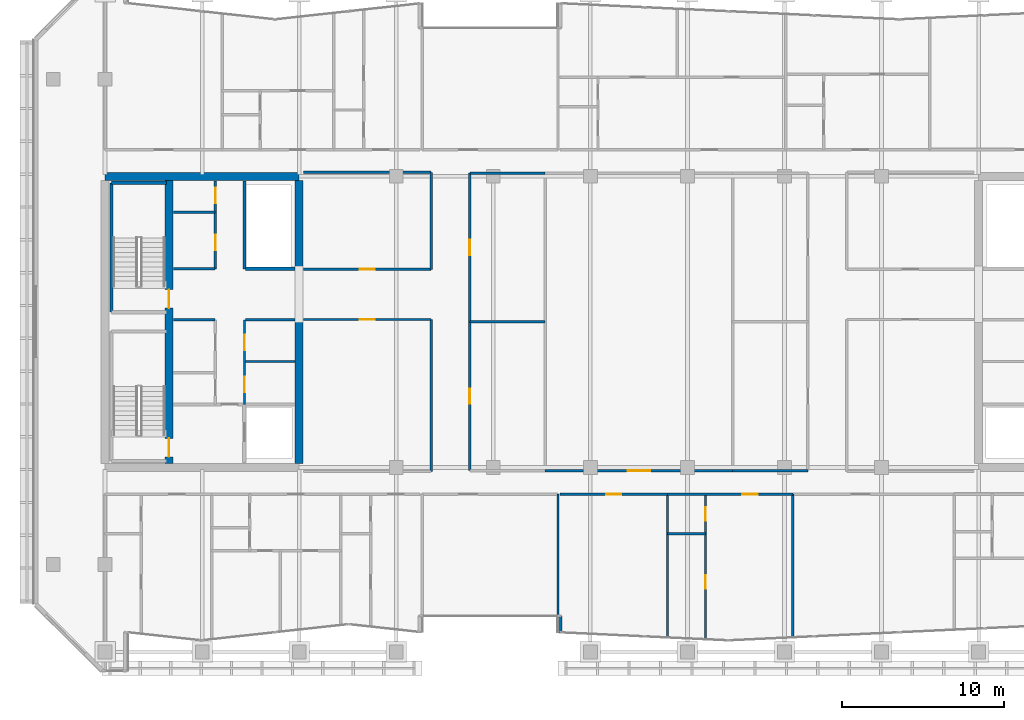
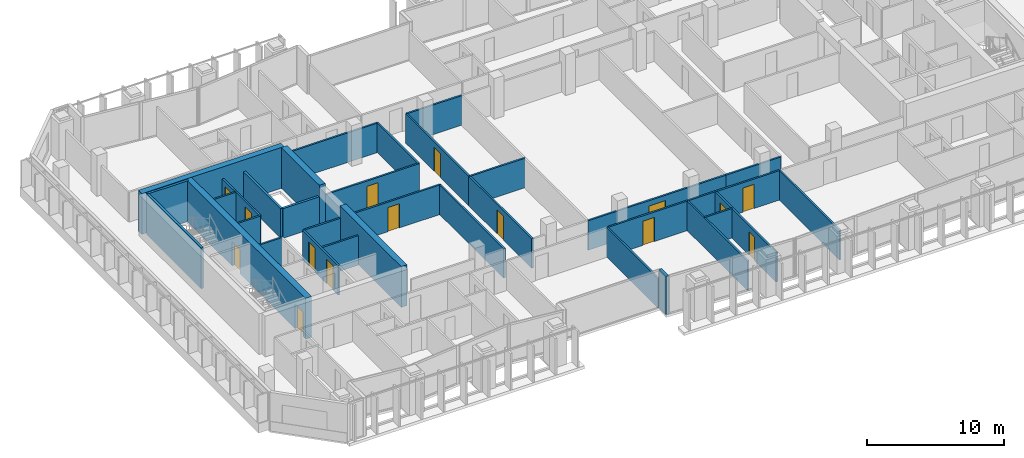
# One storey, part 20 of 29: 34 walls, 15 doors, 15 openings.
"""IFC4 building model written with IfcOpenShell, lengths in metres."""

import ifcopenshell
import ifcopenshell.guid

model = None  # the IFC model being written
_history = None  # IfcOwnerHistory: only IFC2X3 demands one
_inside = {}  # id of a spatial element -> (the spatial element, [elements in it])
_under = {}  # id of a project, library or spatial element -> (it, [spatial elements below it])
_declared = {}  # id of a project -> (the project, [libraries it declares])
_typed = {}  # id of a type object -> (the type object, [elements of that type])
_made_of = {}  # id of a material, layer set ... -> (it, [elements and type objects made of it])


def new_model(schema):
    """Start an empty IFC model of exactly this schema.

    Asked for "IFC4X3", IfcOpenShell would pick the latest addendum, in which some entities
    have other attributes; the version numbers below select the first issue.
    IFC2X3 requires an IfcOwnerHistory on every rooted entity: one is made here for all.
    """
    global model, _history
    if schema == "IFC4X3":
        model = ifcopenshell.file(schema_version=(4, 3, 0, 0))
    else:
        model = ifcopenshell.file(schema=schema)
    _inside.clear()
    _under.clear()
    _declared.clear()
    _typed.clear()
    _made_of.clear()
    _history = None
    if model.schema == "IFC2X3":
        org = make("IfcOrganization", Name="unknown")
        user = make(
            "IfcPersonAndOrganization",
            ThePerson=make("IfcPerson", FamilyName="unknown"),
            TheOrganization=org,
        )
        app = make(
            "IfcApplication",
            ApplicationDeveloper=org,
            Version="unknown",
            ApplicationFullName="unknown",
            ApplicationIdentifier="unknown",
        )
        _history = make(
            "IfcOwnerHistory",
            OwningUser=user,
            OwningApplication=app,
            ChangeAction="ADDED",
            CreationDate=0,
        )
    return model


def make(cls, **values):
    """One entity of the class cls with the attributes given. An attribute that is None is left unset."""
    return model.create_entity(
        cls, **{name: value for name, value in values.items() if value is not None}
    )


def rooted(cls, **values):
    """An entity with a GlobalId (a new one), such as an element, a storey or a relation."""
    return make(cls, GlobalId=ifcopenshell.guid.new(), OwnerHistory=_history, **values)


def si_unit(unit_type, name, prefix=None):
    """IfcSIUnit, for example si_unit("LENGTHUNIT", "METRE", prefix="MILLI")."""
    return make("IfcSIUnit", UnitType=unit_type, Prefix=prefix, Name=name)


def assignment(units):
    """IfcUnitAssignment: the units of a project."""
    return None if units is None else make("IfcUnitAssignment", Units=units)


def point(xyz):
    """IfcCartesianPoint."""
    return None if xyz is None else make("IfcCartesianPoint", Coordinates=xyz)


def direction(xyz):
    """IfcDirection."""
    return None if xyz is None else make("IfcDirection", DirectionRatios=xyz)


def frame(location, z_axis=None, x_axis=None):
    """IfcAxis2Placement3D, a coordinate frame: its origin and axes. An axis left out is left unset."""
    return make(
        "IfcAxis2Placement3D",
        Location=point(location),
        Axis=direction(z_axis),
        RefDirection=direction(x_axis),
    )


def frame_2d(location, x_axis=None):
    """IfcAxis2Placement2D, a coordinate frame in the plane: its origin and x axis."""
    return make(
        "IfcAxis2Placement2D", Location=point(location), RefDirection=direction(x_axis)
    )


def origin():
    """The frame at (0, 0, 0) with its axes left unset."""
    return frame((0.0, 0.0, 0.0))


def place(relative_to, where):
    """IfcLocalPlacement: puts the frame where relative to a parent placement (None: the world)."""
    return make(
        "IfcLocalPlacement", PlacementRelTo=relative_to, RelativePlacement=where
    )


def context(
    kind, dimensions, precision=None, world=None, true_north=None, identifier=None
):
    """IfcGeometricRepresentationContext, for example the 3D "Model" context."""
    return make(
        "IfcGeometricRepresentationContext",
        ContextIdentifier=identifier,
        ContextType=kind,
        CoordinateSpaceDimension=dimensions,
        Precision=precision,
        WorldCoordinateSystem=world,
        TrueNorth=true_north,
    )


def subcontext(parent, identifier, kind, view, scale=None):
    """IfcGeometricRepresentationSubContext, for example "Body" below "Model"."""
    return make(
        "IfcGeometricRepresentationSubContext",
        ContextIdentifier=identifier,
        ContextType=kind,
        ParentContext=parent,
        TargetScale=scale,
        TargetView=view,
    )


def project(units=None, contexts=None):
    """IfcProject with its units and contexts."""
    return rooted(
        "IfcProject",
        Name="project",
        RepresentationContexts=contexts,
        UnitsInContext=assignment(units),
    )


def spatial(cls, under=None, at=None, **own):
    """A site, building, storey or space (cls), placed at a placement, below another one or the project."""
    s = rooted(cls, ObjectPlacement=at, **own)
    if under is not None:
        _under.setdefault(under.id(), (under, []))[1].append(s)
    return s


def profile(cls, at=None, kind="AREA", **sizes):
    """A parametric profile (cls). Its sizes go by their IFC names, for example OverallWidth=200.0."""
    return make(cls, ProfileType=kind, Position=at, **sizes)


def rectangle(**sizes):
    """IfcRectangleProfileDef."""
    return profile("IfcRectangleProfileDef", **sizes)


def extrude(swept, where, along, depth):
    """IfcExtrudedAreaSolid: the profile swept, set in the frame where, extruded along a direction by depth."""
    return make(
        "IfcExtrudedAreaSolid",
        SweptArea=swept,
        Position=where,
        ExtrudedDirection=direction(along),
        Depth=depth,
    )


def shape(context_of_items, identifier, shape_type, items):
    """IfcShapeRepresentation: the items that make up one representation, for example the "Body"."""
    return make(
        "IfcShapeRepresentation",
        ContextOfItems=context_of_items,
        RepresentationIdentifier=identifier,
        RepresentationType=shape_type,
        Items=items,
    )


def material(Name=None, Category=None):
    """IfcMaterial."""
    return make("IfcMaterial", Name=Name, Category=Category)


def layer(
    of_material, thickness, ventilated=None, Name=None, Category=None, Priority=None
):
    """IfcMaterialLayer: one layer of a wall or slab, of a material (None: an air gap)."""
    return make(
        "IfcMaterialLayer",
        Material=of_material,
        LayerThickness=thickness,
        IsVentilated=ventilated,
        Name=Name,
        Category=Category,
        Priority=Priority,
    )


def layer_set(layers, Name=None):
    """IfcMaterialLayerSet."""
    return make("IfcMaterialLayerSet", MaterialLayers=layers, LayerSetName=Name)


def made_of(thing, what):
    """Note that an element or type object is made of a material, layer set ...; save() writes the relation."""
    if what is not None:
        _made_of.setdefault(what.id(), (what, []))[1].append(thing)
    return thing


def type_object(cls, material=None, **own):
    """A type object (cls), such as IfcWallType, which elements share."""
    return made_of(rooted(cls, **own), material)


def element(
    cls,
    number,
    at=None,
    inside=None,
    cuts=None,
    type_object=None,
    material=None,
    context=None,
    identifier="Body",
    shape_type=None,
    held_by="IfcProductDefinitionShape",
    body=None,
    shapes=None,
    **own,
):
    """One element of the class cls, such as IfcWall. Its Tag is "e" and its number.

    at: its placement. inside: the storey or other place that contains it. cuts: it is an
    opening in that element (IfcRelVoidsElement). A single representation is given by context,
    identifier, shape_type and body (its items); several are given by shapes. held_by: the class
    of the entity that holds the representations. save() writes the other relations.
    """
    e = rooted(cls, Tag="e%d" % number, ObjectPlacement=at, **own)
    if body is not None:
        shapes = [shape(context, identifier, shape_type, body)]
    if shapes is not None:
        e.Representation = make(held_by, Representations=shapes)
    if inside is not None:
        _inside.setdefault(inside.id(), (inside, []))[1].append(e)
    if cuts is not None:
        rooted(
            "IfcRelVoidsElement", RelatingBuildingElement=cuts, RelatedOpeningElement=e
        )
    if type_object is not None:
        _typed.setdefault(type_object.id(), (type_object, []))[1].append(e)
    return made_of(e, material)


def fill(opening, filler):
    """IfcRelFillsElement: the door or window that sits in an opening."""
    return rooted(
        "IfcRelFillsElement",
        RelatingOpeningElement=opening,
        RelatedBuildingElement=filler,
    )


def aggregate(whole, parts):
    """IfcRelAggregates: a whole, such as a stair, and the parts it consists of."""
    return rooted("IfcRelAggregates", RelatingObject=whole, RelatedObjects=parts)


def save(model, path):
    """Write the relations noted so far, then the file.

    IfcRelAggregates (storeys below a building ...), IfcRelContainedInSpatialStructure (elements
    in a storey), IfcRelDefinesByType, IfcRelAssociatesMaterial and IfcRelDeclares: one each for
    every whole, place, type object, material and project.
    """
    for whole, parts in _under.values():
        aggregate(whole, parts)
    for where, things in _inside.values():
        rooted(
            "IfcRelContainedInSpatialStructure",
            RelatedElements=things,
            RelatingStructure=where,
        )
    for kind, things in _typed.values():
        rooted("IfcRelDefinesByType", RelatedObjects=things, RelatingType=kind)
    for what, things in _made_of.values():
        rooted("IfcRelAssociatesMaterial", RelatedObjects=things, RelatingMaterial=what)
    for by, libraries in _declared.values():
        rooted("IfcRelDeclares", RelatingContext=by, RelatedDefinitions=libraries)
    model.write(path)


model = new_model("IFC4")

# Units and contexts
model_context = context("Model", 3, precision=1e-05, world=origin(), true_north=direction((0.0, 1.0)))
body_context = subcontext(model_context, "Body", "Model", "MODEL_VIEW")
ifc_project = project(units=[si_unit("LENGTHUNIT", "METRE"), si_unit("AREAUNIT", "SQUARE_METRE"), si_unit("VOLUMEUNIT", "CUBIC_METRE"), si_unit("PLANEANGLEUNIT", "RADIAN"), si_unit("MASSUNIT", "GRAM", prefix="KILO")], contexts=[model_context])

# Site, building, storey
site_placement = place(None, origin())
site = spatial("IfcSite", under=ifc_project, at=site_placement, CompositionType="ELEMENT")
building_placement = place(site_placement, origin())
building = spatial("IfcBuilding", under=site, at=building_placement, Name="Tanjung Sevakor Pilgrim Tower", CompositionType="ELEMENT")
storey_placement = place(building_placement, frame((0.0, 0.0, 162.030029296875)))
storey = spatial("IfcBuildingStorey", under=building, at=storey_placement, Name="L45", CompositionType="ELEMENT", Elevation=162.030029296875)

# Walls
ifc_material_1 = material(Name="Concrete C60/75", Category="concrete")
ifc_layer_1 = layer(ifc_material_1, 0.5)
ifc_layer_set_1 = layer_set([ifc_layer_1], Name="WALL-CW-500")
wall_type_1 = type_object("IfcWallType", Name="WALL-CW-500", PredefinedType="SHEAR", material=ifc_layer_set_1)
wall_1_placement = place(storey_placement, frame((36.0, 42.60009765625, 0.0), z_axis=(0.0, 0.0, 1.0), x_axis=(-1.0, 0.0, 0.0)))
element("IfcWall", 1, at=wall_1_placement, inside=storey, type_object=wall_type_1, Name="L45 W Core North Shear Wall", PredefinedType="SHEAR", context=body_context, shape_type="SweptSolid", body=[
    extrude(rectangle(XDim=12.0, YDim=0.5, at=frame_2d((6.0, 0.0))), origin(), (0.0, 0.0, 1.0), 3.6298828125),
])
wall_2_placement = place(storey_placement, frame((36.0, 24.85009765625, 0.0), z_axis=(0.0, 0.0, 1.0), x_axis=(0.0, 1.0, 0.0)))
element("IfcWall", 2, at=wall_2_placement, inside=storey, type_object=wall_type_1, Name="L45 W Core Inner Shear Wall South", PredefinedType="SHEAR", context=body_context, shape_type="SweptSolid", body=[
    extrude(rectangle(XDim=8.949951171875, YDim=0.5, at=frame_2d((4.47509765625, 0.0))), origin(), (0.0, 0.0, 1.0), 3.6298828125),
])
wall_3_placement = place(storey_placement, frame((36.0, 36.800048828125, 0.0), z_axis=(0.0, 0.0, 1.0), x_axis=(0.0, 1.0, 0.0)))
element("IfcWall", 3, at=wall_3_placement, inside=storey, type_object=wall_type_1, Name="L45 W Core Inner Shear Wall North", PredefinedType="SHEAR", context=body_context, shape_type="SweptSolid", body=[
    extrude(rectangle(XDim=5.550048828125, YDim=0.5, at=frame_2d((2.77490234375, 0.0))), origin(), (0.0, 0.0, 1.0), 3.6298828125),
])

# Wall, openings, doors
wall_4_placement = place(storey_placement, frame((27.949951171875, 24.85009765625, 0.0), z_axis=(0.0, 0.0, 1.0), x_axis=(0.0, 1.0, 0.0)))
wall_4 = element("IfcWall", 4, at=wall_4_placement, inside=storey, type_object=wall_type_1, Name="L45 W Core Stair Spine Wall", PredefinedType="SHEAR", context=body_context, shape_type="SweptSolid", body=[
    extrude(rectangle(XDim=17.5, YDim=0.5, at=frame_2d((8.75, 0.0))), origin(), (0.0, 0.0, 1.0), 3.6298828125),
])
opening_1_placement = place(wall_4_placement, frame((0.39990234375, 0.0, 0.0)))
opening_1 = element("IfcOpeningElement", 5, at=opening_1_placement, cuts=wall_4, Name="Opening ID-ST1", PredefinedType="OPENING", context=body_context, shape_type="SweptSolid", body=[
    extrude(rectangle(XDim=1.14990234375, YDim=2.14990234375, at=frame_2d((0.574951171875, 1.074951171875))), frame((0.0, 0.260009765625, 0.0), z_axis=(0.0, -1.0, 0.0), x_axis=(1.0, 0.0, 0.0)), (0.0, 0.0, 1.0), 0.52001953125),
])
opening_2_placement = place(wall_4_placement, frame((9.60009765625, 0.0, 0.0)))
opening_2 = element("IfcOpeningElement", 6, at=opening_2_placement, cuts=wall_4, Name="Opening ID-ST1", PredefinedType="OPENING", context=body_context, shape_type="SweptSolid", body=[
    extrude(rectangle(XDim=1.14990234375, YDim=2.14990234375, at=frame_2d((0.574951171875, 1.074951171875))), frame((0.0, 0.260009765625, 0.0), z_axis=(0.0, -1.0, 0.0), x_axis=(1.0, 0.0, 0.0)), (0.0, 0.0, 1.0), 0.52001953125),
])
ifc_material_2 = material(Name="Fire-Rated Steel S355J2", Category="steel")
door_type_1 = type_object("IfcDoorType", Name="DT-FIRE-1150", OperationType="NOTDEFINED", PredefinedType="DOOR", material=ifc_material_2)
door_1_placement = place(opening_1_placement, origin())
door_1 = element("IfcDoor", 7, at=door_1_placement, inside=storey, type_object=door_type_1, Name="L45 TS-W1 Stair Fire Door", OperationType="SINGLE_SWING_RIGHT", OverallHeight=2.14990234375, OverallWidth=1.14990234375, PredefinedType="DOOR", context=body_context, shape_type="SweptSolid", body=[
    extrude(rectangle(XDim=1.14990234375, YDim=2.14990234375, at=frame_2d((0.574951171875, 1.074951171875))), frame((0.0, 0.02490234375, 0.0), z_axis=(0.0, -1.0, 0.0), x_axis=(1.0, 0.0, 0.0)), (0.0, 0.0, 1.0), 0.050048828125),
])
fill(opening_1, door_1)
door_2_placement = place(opening_2_placement, origin())
door_2 = element("IfcDoor", 8, at=door_2_placement, inside=storey, type_object=door_type_1, Name="L45 TS-W2 Stair Fire Door", OperationType="SINGLE_SWING_LEFT", OverallHeight=2.14990234375, OverallWidth=1.14990234375, PredefinedType="DOOR", context=body_context, shape_type="SweptSolid", body=[
    extrude(rectangle(XDim=1.14990234375, YDim=2.14990234375, at=frame_2d((0.574951171875, 1.074951171875))), frame((0.0, 0.02490234375, 0.0), z_axis=(0.0, -1.0, 0.0), x_axis=(1.0, 0.0, 0.0)), (0.0, 0.0, 1.0), 0.050048828125),
])
fill(opening_2, door_2)

# Walls
ifc_material_3 = material(Name="Concrete C40/50", Category="concrete")
ifc_layer_2 = layer(ifc_material_3, 0.14990234375)
ifc_layer_set_2 = layer_set([ifc_layer_2], Name="WT-COMP-150")
wall_type_2 = type_object("IfcWallType", Name="WT-COMP-150", PredefinedType="SOLIDWALL", material=ifc_layer_set_2)
wall_5_placement = place(storey_placement, frame((28.219970703125, 33.719970703125, 0.0), z_axis=(0.0, 0.0, 1.0), x_axis=(1.0, 0.0, 0.0)))
element("IfcWall", 9, at=wall_5_placement, inside=storey, type_object=wall_type_2, Name="L45 Partition IW-L45-004", PredefinedType="SOLIDWALL", context=body_context, shape_type="SweptSolid", body=[
    extrude(rectangle(XDim=2.580078125, YDim=0.14990234375, at=frame_2d((1.2900390625, 0.0))), origin(), (0.0, 0.0, 1.0), 2.6298828125),
])
for number, where, z_axis, x_axis, name in (
    (10, (32.679931640625, 31.14990234375, 0.0), (0.0, 0.0, 1.0), (1.0, 0.0, 0.0), "L45 Partition IW-L45-006"),
    (11, (32.679931640625, 33.719970703125, 0.0), (0.0, 0.0, 1.0), (1.0, 0.0, 0.0), "L45 Partition IW-L45-007"),
):
    element("IfcWall", number, at=place(storey_placement, frame(where, z_axis=z_axis, x_axis=x_axis)), inside=storey, type_object=wall_type_2, Name=name, PredefinedType="SOLIDWALL", context=body_context, shape_type="SweptSolid", body=[
        extrude(rectangle(XDim=3.050048828125, YDim=0.14990234375, at=frame_2d((1.52490234375, 0.0))), origin(), (0.0, 0.0, 1.0), 2.6298828125),
    ])

# Wall, openings, doors
wall_6_placement = place(storey_placement, frame((32.6201171875, 28.5, 0.0), z_axis=(0.0, 0.0, 1.0), x_axis=(0.0, 1.0, 0.0)))
wall_6 = element("IfcWall", 12, at=wall_6_placement, inside=storey, type_object=wall_type_2, Name="L45 Partition IW-L45-008", PredefinedType="SOLIDWALL", context=body_context, shape_type="SweptSolid", body=[
    extrude(rectangle(XDim=5.219970703125, YDim=0.14990234375, at=frame_2d((2.60986328125, 0.0))), origin(), (0.0, 0.0, 1.0), 2.6298828125),
])
opening_3_placement = place(wall_6_placement, frame((0.75, 0.0, 0.0)))
opening_3 = element("IfcOpeningElement", 13, at=opening_3_placement, cuts=wall_6, Name="Opening ID-FD2", PredefinedType="OPENING", context=body_context, shape_type="SweptSolid", body=[
    extrude(rectangle(XDim=0.949951171875, YDim=2.14990234375, at=frame_2d((0.47509765625, 1.074951171875))), frame((0.0, 0.0849609375, 0.0), z_axis=(0.0, -1.0, 0.0), x_axis=(1.0, 0.0, 0.0)), (0.0, 0.0, 1.0), 0.169921875),
])
opening_4_placement = place(wall_6_placement, frame((3.35009765625, 0.0, 0.0)))
opening_4 = element("IfcOpeningElement", 14, at=opening_4_placement, cuts=wall_6, Name="Opening ID-FD2", PredefinedType="OPENING", context=body_context, shape_type="SweptSolid", body=[
    extrude(rectangle(XDim=0.949951171875, YDim=2.14990234375, at=frame_2d((0.47509765625, 1.074951171875))), frame((0.0, 0.0849609375, 0.0), z_axis=(0.0, -1.0, 0.0), x_axis=(1.0, 0.0, 0.0)), (0.0, 0.0, 1.0), 0.169921875),
])
ifc_material_4 = material(Name="Fire-Rated Timber", Category="wood")
door_type_2 = type_object("IfcDoorType", Name="DT-FIRE-950", OperationType="NOTDEFINED", PredefinedType="DOOR", material=ifc_material_4)
door_3_placement = place(opening_3_placement, origin())
door_3 = element("IfcDoor", 15, at=door_3_placement, inside=storey, type_object=door_type_2, Name="L45 Accessible WC Door", OperationType="SINGLE_SWING_LEFT", OverallHeight=2.14990234375, OverallWidth=0.949951171875, PredefinedType="DOOR", context=body_context, shape_type="SweptSolid", body=[
    extrude(rectangle(XDim=0.949951171875, YDim=2.14990234375, at=frame_2d((0.47509765625, 1.074951171875))), frame((0.0, 0.02490234375, 0.0), z_axis=(0.0, -1.0, 0.0), x_axis=(1.0, 0.0, 0.0)), (0.0, 0.0, 1.0), 0.050048828125),
])
fill(opening_3, door_3)
door_4_placement = place(opening_4_placement, origin())
door_4 = element("IfcDoor", 16, at=door_4_placement, inside=storey, type_object=door_type_2, Name="L45 Core Service Door", OperationType="SINGLE_SWING_RIGHT", OverallHeight=2.14990234375, OverallWidth=0.949951171875, PredefinedType="DOOR", context=body_context, shape_type="SweptSolid", body=[
    extrude(rectangle(XDim=0.949951171875, YDim=2.14990234375, at=frame_2d((0.47509765625, 1.074951171875))), frame((0.0, 0.02490234375, 0.0), z_axis=(0.0, -1.0, 0.0), x_axis=(1.0, 0.0, 0.0)), (0.0, 0.0, 1.0), 0.050048828125),
])
fill(opening_4, door_4)

# Walls
for number, where, z_axis, x_axis, name in (
    (17, (28.219970703125, 36.8798828125, 0.0), (0.0, 0.0, 1.0), (1.0, 0.0, 0.0), "L45 Partition IW-L45-009"),
    (18, (28.219970703125, 40.389892578125, 0.0), (0.0, 0.0, 1.0), (1.0, 0.0, 0.0), "L45 Partition IW-L45-010"),
):
    element("IfcWall", number, at=place(storey_placement, frame(where, z_axis=z_axis, x_axis=x_axis)), inside=storey, type_object=wall_type_2, Name=name, PredefinedType="SOLIDWALL", context=body_context, shape_type="SweptSolid", body=[
        extrude(rectangle(XDim=2.580078125, YDim=0.14990234375, at=frame_2d((1.2900390625, 0.0))), origin(), (0.0, 0.0, 1.0), 2.6298828125),
    ])

# Wall, openings, doors
wall_7_placement = place(storey_placement, frame((30.820068359375, 36.8798828125, 0.0), z_axis=(0.0, 0.0, 1.0), x_axis=(0.0, 1.0, 0.0)))
wall_7 = element("IfcWall", 19, at=wall_7_placement, inside=storey, type_object=wall_type_2, Name="L45 Partition IW-L45-011", PredefinedType="SOLIDWALL", context=body_context, shape_type="SweptSolid", body=[
    extrude(rectangle(XDim=5.420166015625, YDim=0.14990234375, at=frame_2d((2.7099609375, 0.0))), origin(), (0.0, 0.0, 1.0), 2.6298828125),
])
opening_5_placement = place(wall_7_placement, frame((1.14990234375, 0.0, 0.0)))
opening_5 = element("IfcOpeningElement", 20, at=opening_5_placement, cuts=wall_7, Name="Opening ID-FD2", PredefinedType="OPENING", context=body_context, shape_type="SweptSolid", body=[
    extrude(rectangle(XDim=0.949951171875, YDim=2.14990234375, at=frame_2d((0.47509765625, 1.074951171875))), frame((0.0, 0.0849609375, 0.0), z_axis=(0.0, -1.0, 0.0), x_axis=(1.0, 0.0, 0.0)), (0.0, 0.0, 1.0), 0.169921875),
])
opening_6_placement = place(wall_7_placement, frame((4.050048828125, 0.0, 0.0)))
opening_6 = element("IfcOpeningElement", 21, at=opening_6_placement, cuts=wall_7, Name="Opening ID-FD2", PredefinedType="OPENING", context=body_context, shape_type="SweptSolid", body=[
    extrude(rectangle(XDim=0.949951171875, YDim=2.14990234375, at=frame_2d((0.47509765625, 1.074951171875))), frame((0.0, 0.0849609375, 0.0), z_axis=(0.0, -1.0, 0.0), x_axis=(1.0, 0.0, 0.0)), (0.0, 0.0, 1.0), 0.169921875),
])
door_5_placement = place(opening_5_placement, origin())
door_5 = element("IfcDoor", 22, at=door_5_placement, inside=storey, type_object=door_type_2, Name="L45 Core Study Room Door", OperationType="SINGLE_SWING_LEFT", OverallHeight=2.14990234375, OverallWidth=0.949951171875, PredefinedType="DOOR", context=body_context, shape_type="SweptSolid", body=[
    extrude(rectangle(XDim=0.949951171875, YDim=2.14990234375, at=frame_2d((0.47509765625, 1.074951171875))), frame((0.0, 0.02490234375, 0.0), z_axis=(0.0, -1.0, 0.0), x_axis=(1.0, 0.0, 0.0)), (0.0, 0.0, 1.0), 0.050048828125),
])
fill(opening_5, door_5)
door_6_placement = place(opening_6_placement, origin())
door_6 = element("IfcDoor", 23, at=door_6_placement, inside=storey, type_object=door_type_2, Name="L45 Service Store Door", OperationType="SINGLE_SWING_RIGHT", OverallHeight=2.14990234375, OverallWidth=0.949951171875, PredefinedType="DOOR", context=body_context, shape_type="SweptSolid", body=[
    extrude(rectangle(XDim=0.949951171875, YDim=2.14990234375, at=frame_2d((0.47509765625, 1.074951171875))), frame((0.0, 0.02490234375, 0.0), z_axis=(0.0, -1.0, 0.0), x_axis=(1.0, 0.0, 0.0)), (0.0, 0.0, 1.0), 0.050048828125),
])
fill(opening_6, door_6)

# Wall, opening, door
wall_8_placement = place(storey_placement, frame((36.27001953125, 33.75, 0.0), z_axis=(0.0, 0.0, 1.0), x_axis=(1.0, 0.0, 0.0)))
wall_8 = element("IfcWall", 24, at=wall_8_placement, inside=storey, type_object=wall_type_2, Name="L45 Partition IW-L45-028", PredefinedType="SOLIDWALL", context=body_context, shape_type="SweptSolid", body=[
    extrude(rectangle(XDim=7.8798828125, YDim=0.14990234375, at=frame_2d((3.93994140625, 0.0))), origin(), (0.0, 0.0, 1.0), 2.6298828125),
])
opening_7_placement = place(wall_8_placement, frame((3.465087890625, 0.0, 0.0)))
opening_7 = element("IfcOpeningElement", 25, at=opening_7_placement, cuts=wall_8, Name="Opening ID-RM1", PredefinedType="OPENING", context=body_context, shape_type="SweptSolid", body=[
    extrude(rectangle(XDim=0.949951171875, YDim=2.14990234375, at=frame_2d((0.47509765625, 1.074951171875))), frame((0.0, 0.0849609375, 0.0), z_axis=(0.0, -1.0, 0.0), x_axis=(1.0, 0.0, 0.0)), (0.0, 0.0, 1.0), 0.169921875),
])
ifc_material_5 = material(Name="Hardwood Timber", Category="wood")
door_type_3 = type_object("IfcDoorType", Name="DT-INT-950", OperationType="NOTDEFINED", PredefinedType="DOOR", material=ifc_material_5)
door_7_placement = place(opening_7_placement, origin())
door_7 = element("IfcDoor", 26, at=door_7_placement, inside=storey, type_object=door_type_3, Name="L45 West Inboard South Door", OperationType="SINGLE_SWING_LEFT", OverallHeight=2.14990234375, OverallWidth=0.949951171875, PredefinedType="DOOR", context=body_context, shape_type="SweptSolid", body=[
    extrude(rectangle(XDim=0.949951171875, YDim=2.14990234375, at=frame_2d((0.47509765625, 1.074951171875))), frame((0.0, 0.02490234375, 0.0), z_axis=(0.0, -1.0, 0.0), x_axis=(1.0, 0.0, 0.0)), (0.0, 0.0, 1.0), 0.050048828125),
])
fill(opening_7, door_7)

# Wall
wall_9_placement = place(storey_placement, frame((44.14990234375, 24.35009765625, 0.0), z_axis=(0.0, 0.0, 1.0), x_axis=(0.0, 1.0, 0.0)))
element("IfcWall", 27, at=wall_9_placement, inside=storey, type_object=wall_type_2, Name="L45 Partition IW-L45-029", PredefinedType="SOLIDWALL", context=body_context, shape_type="SweptSolid", body=[
    extrude(rectangle(XDim=9.39990234375, YDim=0.14990234375, at=frame_2d((4.699951171875, 0.0))), origin(), (0.0, 0.0, 1.0), 2.6298828125),
])

# Wall, opening, door
wall_10_placement = place(storey_placement, frame((36.27001953125, 36.85009765625, 0.0), z_axis=(0.0, 0.0, 1.0), x_axis=(1.0, 0.0, 0.0)))
wall_10 = element("IfcWall", 28, at=wall_10_placement, inside=storey, type_object=wall_type_2, Name="L45 Partition IW-L45-030", PredefinedType="SOLIDWALL", context=body_context, shape_type="SweptSolid", body=[
    extrude(rectangle(XDim=7.8798828125, YDim=0.14990234375, at=frame_2d((3.93994140625, 0.0))), origin(), (0.0, 0.0, 1.0), 2.6298828125),
])
opening_8_placement = place(wall_10_placement, frame((3.465087890625, 0.0, 0.0)))
opening_8 = element("IfcOpeningElement", 29, at=opening_8_placement, cuts=wall_10, Name="Opening ID-RM1", PredefinedType="OPENING", context=body_context, shape_type="SweptSolid", body=[
    extrude(rectangle(XDim=0.949951171875, YDim=2.14990234375, at=frame_2d((0.47509765625, 1.074951171875))), frame((0.0, 0.0849609375, 0.0), z_axis=(0.0, -1.0, 0.0), x_axis=(1.0, 0.0, 0.0)), (0.0, 0.0, 1.0), 0.169921875),
])
door_8_placement = place(opening_8_placement, origin())
door_8 = element("IfcDoor", 30, at=door_8_placement, inside=storey, type_object=door_type_3, Name="L45 West Inboard North Door", OperationType="SINGLE_SWING_RIGHT", OverallHeight=2.14990234375, OverallWidth=0.949951171875, PredefinedType="DOOR", context=body_context, shape_type="SweptSolid", body=[
    extrude(rectangle(XDim=0.949951171875, YDim=2.14990234375, at=frame_2d((0.47509765625, 1.074951171875))), frame((0.0, 0.02490234375, 0.0), z_axis=(0.0, -1.0, 0.0), x_axis=(1.0, 0.0, 0.0)), (0.0, 0.0, 1.0), 0.050048828125),
])
fill(opening_8, door_8)

# Walls
wall_11_placement = place(storey_placement, frame((36.27001953125, 42.85009765625, 0.0), z_axis=(0.0, 0.0, 1.0), x_axis=(1.0, 0.0, 0.0)))
element("IfcWall", 31, at=wall_11_placement, inside=storey, type_object=wall_type_2, Name="L45 Partition IW-L45-031", PredefinedType="SOLIDWALL", context=body_context, shape_type="SweptSolid", body=[
    extrude(rectangle(XDim=7.8798828125, YDim=0.14990234375, at=frame_2d((3.93994140625, 0.0))), origin(), (0.0, 0.0, 1.0), 2.6298828125),
])
wall_12_placement = place(storey_placement, frame((44.14990234375, 36.85009765625, 0.0), z_axis=(0.0, 0.0, 1.0), x_axis=(0.0, 1.0, 0.0)))
element("IfcWall", 32, at=wall_12_placement, inside=storey, type_object=wall_type_2, Name="L45 Partition IW-L45-032", PredefinedType="SOLIDWALL", context=body_context, shape_type="SweptSolid", body=[
    extrude(rectangle(XDim=6.0, YDim=0.14990234375, at=frame_2d((3.0, 0.0))), origin(), (0.0, 0.0, 1.0), 2.6298828125),
])
wall_13_placement = place(storey_placement, frame((46.550048828125, 33.60009765625, 0.0), z_axis=(0.0, 0.0, 1.0), x_axis=(1.0, 0.0, 0.0)))
element("IfcWall", 33, at=wall_13_placement, inside=storey, type_object=wall_type_2, Name="L45 Partition IW-L45-040", PredefinedType="SOLIDWALL", context=body_context, shape_type="SweptSolid", body=[
    extrude(rectangle(XDim=4.64990234375, YDim=0.14990234375, at=frame_2d((2.324951171875, 0.0))), origin(), (0.0, 0.0, 1.0), 2.6298828125),
])

# Wall, opening, door
wall_14_placement = place(storey_placement, frame((46.550048828125, 24.39990234375, 0.0), z_axis=(0.0, 0.0, 1.0), x_axis=(0.0, 1.0, 0.0)))
wall_14 = element("IfcWall", 34, at=wall_14_placement, inside=storey, type_object=wall_type_2, Name="L45 Partition IW-L45-041", PredefinedType="SOLIDWALL", context=body_context, shape_type="SweptSolid", body=[
    extrude(rectangle(XDim=9.2001953125, YDim=0.14990234375, at=frame_2d((4.60009765625, 0.0))), origin(), (0.0, 0.0, 1.0), 2.6298828125),
])
opening_9_placement = place(wall_14_placement, frame((4.125, 0.0, 0.0)))
opening_9 = element("IfcOpeningElement", 35, at=opening_9_placement, cuts=wall_14, Name="Opening ID-RM1", PredefinedType="OPENING", context=body_context, shape_type="SweptSolid", body=[
    extrude(rectangle(XDim=0.949951171875, YDim=2.14990234375, at=frame_2d((0.47509765625, 1.074951171875))), frame((0.0, 0.0849609375, 0.0), z_axis=(0.0, -1.0, 0.0), x_axis=(1.0, 0.0, 0.0)), (0.0, 0.0, 1.0), 0.169921875),
])
door_9_placement = place(opening_9_placement, origin())
door_9 = element("IfcDoor", 36, at=door_9_placement, inside=storey, type_object=door_type_3, Name="L45 Male Ablution Door", OperationType="SINGLE_SWING_LEFT", OverallHeight=2.14990234375, OverallWidth=0.949951171875, PredefinedType="DOOR", context=body_context, shape_type="SweptSolid", body=[
    extrude(rectangle(XDim=0.949951171875, YDim=2.14990234375, at=frame_2d((0.47509765625, 1.074951171875))), frame((0.0, 0.02490234375, 0.0), z_axis=(0.0, -1.0, 0.0), x_axis=(1.0, 0.0, 0.0)), (0.0, 0.0, 1.0), 0.050048828125),
])
fill(opening_9, door_9)

# Wall
wall_15_placement = place(storey_placement, frame((46.550048828125, 42.800048828125, 0.0), z_axis=(0.0, 0.0, 1.0), x_axis=(1.0, 0.0, 0.0)))
element("IfcWall", 37, at=wall_15_placement, inside=storey, type_object=wall_type_2, Name="L45 Partition IW-L45-042", PredefinedType="SOLIDWALL", context=body_context, shape_type="SweptSolid", body=[
    extrude(rectangle(XDim=4.64990234375, YDim=0.14990234375, at=frame_2d((2.324951171875, 0.0))), origin(), (0.0, 0.0, 1.0), 2.6298828125),
])

# Wall, opening, door
wall_16_placement = place(storey_placement, frame((46.550048828125, 33.60009765625, 0.0), z_axis=(0.0, 0.0, 1.0), x_axis=(0.0, 1.0, 0.0)))
wall_16 = element("IfcWall", 38, at=wall_16_placement, inside=storey, type_object=wall_type_2, Name="L45 Partition IW-L45-043", PredefinedType="SOLIDWALL", context=body_context, shape_type="SweptSolid", body=[
    extrude(rectangle(XDim=9.199951171875, YDim=0.14990234375, at=frame_2d((4.60009765625, 0.0))), origin(), (0.0, 0.0, 1.0), 2.6298828125),
])
opening_10_placement = place(wall_16_placement, frame((4.125, 0.0, 0.0)))
opening_10 = element("IfcOpeningElement", 39, at=opening_10_placement, cuts=wall_16, Name="Opening ID-RM1", PredefinedType="OPENING", context=body_context, shape_type="SweptSolid", body=[
    extrude(rectangle(XDim=0.949951171875, YDim=2.14990234375, at=frame_2d((0.47509765625, 1.074951171875))), frame((0.0, 0.0849609375, 0.0), z_axis=(0.0, -1.0, 0.0), x_axis=(1.0, 0.0, 0.0)), (0.0, 0.0, 1.0), 0.169921875),
])
door_10_placement = place(opening_10_placement, origin())
door_10 = element("IfcDoor", 40, at=door_10_placement, inside=storey, type_object=door_type_3, Name="L45 Male Washroom Door", OperationType="SINGLE_SWING_RIGHT", OverallHeight=2.14990234375, OverallWidth=0.949951171875, PredefinedType="DOOR", context=body_context, shape_type="SweptSolid", body=[
    extrude(rectangle(XDim=0.949951171875, YDim=2.14990234375, at=frame_2d((0.47509765625, 1.074951171875))), frame((0.0, 0.02490234375, 0.0), z_axis=(0.0, -1.0, 0.0), x_axis=(1.0, 0.0, 0.0)), (0.0, 0.0, 1.0), 0.050048828125),
])
fill(opening_10, door_10)

wall_17_placement = place(storey_placement, frame((51.199951171875, 24.39990234375, 0.0), z_axis=(0.0, 0.0, 1.0), x_axis=(1.0, 0.0, 0.0)))
wall_17 = element("IfcWall", 41, at=wall_17_placement, inside=storey, type_object=wall_type_2, Name="L45 Partition IW-L45-044", PredefinedType="SOLIDWALL", context=body_context, shape_type="SweptSolid", body=[
    extrude(rectangle(XDim=11.60009765625, YDim=0.14990234375, at=frame_2d((5.800048828125, 0.0))), origin(), (0.0, 0.0, 1.0), 2.6298828125),
])
opening_11_placement = place(wall_17_placement, frame((5.10009765625, 0.0, 0.0)))
opening_11 = element("IfcOpeningElement", 42, at=opening_11_placement, cuts=wall_17, Name="Opening ID-HD1", PredefinedType="OPENING", context=body_context, shape_type="SweptSolid", body=[
    extrude(rectangle(XDim=1.39990234375, YDim=2.14990234375, at=frame_2d((0.699951171875, 1.074951171875))), frame((0.0, 0.0849609375, 0.0), z_axis=(0.0, -1.0, 0.0), x_axis=(1.0, 0.0, 0.0)), (0.0, 0.0, 1.0), 0.169921875),
])
ifc_material_6 = material(Name="Hardwood Timber", Category="wood")
door_type_4 = type_object("IfcDoorType", Name="DT-INT-1400", OperationType="DOUBLE_DOOR_SINGLE_SWING", PredefinedType="DOOR", material=ifc_material_6)
door_11_placement = place(opening_11_placement, origin())
door_11 = element("IfcDoor", 43, at=door_11_placement, inside=storey, type_object=door_type_4, Name="L45 Sky-Prayer Sanctuary Door", OperationType="SINGLE_SWING_LEFT", OverallHeight=2.14990234375, OverallWidth=1.39990234375, PredefinedType="DOOR", context=body_context, shape_type="SweptSolid", body=[
    extrude(rectangle(XDim=1.39990234375, YDim=2.14990234375, at=frame_2d((0.699951171875, 1.074951171875))), frame((0.0, 0.02490234375, 0.0), z_axis=(0.0, -1.0, 0.0), x_axis=(1.0, 0.0, 0.0)), (0.0, 0.0, 1.0), 0.050048828125),
])
fill(opening_11, door_11)

# Walls
wall_18_placement = place(storey_placement, frame((62.800048828125, 24.39990234375, 0.0), z_axis=(0.0, 0.0, 1.0), x_axis=(1.0, 0.0, 0.0)))
element("IfcWall", 44, at=wall_18_placement, inside=storey, type_object=wall_type_2, Name="L45 Partition IW-L45-048", PredefinedType="SOLIDWALL", context=body_context, shape_type="SweptSolid", body=[
    extrude(rectangle(XDim=4.64990234375, YDim=0.14990234375, at=frame_2d((2.324951171875, 0.0))), origin(), (0.0, 0.0, 1.0), 2.6298828125),
])
wall_19_placement = place(storey_placement, frame((52.0, 15.425048828125, 0.0), z_axis=(0.0, 0.0, 1.0), x_axis=(0.0, 1.0, 0.0)))
element("IfcWall", 45, at=wall_19_placement, inside=storey, type_object=wall_type_2, Name="L45 Partition IW-L45-055", PredefinedType="SOLIDWALL", context=body_context, shape_type="SweptSolid", body=[
    extrude(rectangle(XDim=7.52490234375, YDim=0.14990234375, at=frame_2d((3.762451171875, 0.0))), origin(), (0.0, 0.0, 1.0), 2.6298828125),
])
wall_20_placement = place(storey_placement, frame((58.7666015625, 14.08447265625, 0.0), z_axis=(0.0, 0.0, 1.0), x_axis=(0.0, 1.0, 0.0)))
element("IfcWall", 46, at=wall_20_placement, inside=storey, type_object=wall_type_2, Name="L45 Partition IW-L45-074", PredefinedType="SOLIDWALL", context=body_context, shape_type="SweptSolid", body=[
    extrude(rectangle(XDim=8.865478515625, YDim=0.14990234375, at=frame_2d((4.4326171875, 0.0))), origin(), (0.0, 0.0, 1.0), 2.6298828125),
])

# Wall, opening, door
wall_21_placement = place(storey_placement, frame((52.1201171875, 22.949951171875, 0.0), z_axis=(0.0, 0.0, 1.0), x_axis=(1.0, 0.0, 0.0)))
wall_21 = element("IfcWall", 47, at=wall_21_placement, inside=storey, type_object=wall_type_2, Name="L45 Partition IW-L45-075", PredefinedType="SOLIDWALL", context=body_context, shape_type="SweptSolid", body=[
    extrude(rectangle(XDim=6.646484375, YDim=0.14990234375, at=frame_2d((3.3232421875, 0.0))), origin(), (0.0, 0.0, 1.0), 2.6298828125),
])
opening_12_placement = place(wall_21_placement, frame((2.848388671875, 0.0, 0.0)))
opening_12 = element("IfcOpeningElement", 48, at=opening_12_placement, cuts=wall_21, Name="Opening ID-FD2", PredefinedType="OPENING", context=body_context, shape_type="SweptSolid", body=[
    extrude(rectangle(XDim=0.949951171875, YDim=2.14990234375, at=frame_2d((0.47509765625, 1.074951171875))), frame((0.0, 0.0849609375, 0.0), z_axis=(0.0, -1.0, 0.0), x_axis=(1.0, 0.0, 0.0)), (0.0, 0.0, 1.0), 0.169921875),
])
door_12_placement = place(opening_12_placement, origin())
door_12 = element("IfcDoor", 49, at=door_12_placement, inside=storey, type_object=door_type_2, Name="Housekeeping Pantry Door", OperationType="SINGLE_SWING_LEFT", OverallHeight=2.14990234375, OverallWidth=0.949951171875, PredefinedType="DOOR", context=body_context, shape_type="SweptSolid", body=[
    extrude(rectangle(XDim=0.949951171875, YDim=2.14990234375, at=frame_2d((0.47509765625, 1.074951171875))), frame((0.0, 0.02490234375, 0.0), z_axis=(0.0, -1.0, 0.0), x_axis=(1.0, 0.0, 0.0)), (0.0, 0.0, 1.0), 0.050048828125),
])
fill(opening_12, door_12)

# Wall
wall_22_placement = place(storey_placement, frame((66.52099609375, 14.09326171875, 0.0), z_axis=(0.0, 0.0, 1.0), x_axis=(0.0, 1.0, 0.0)))
element("IfcWall", 50, at=wall_22_placement, inside=storey, type_object=wall_type_2, Name="L45 Partition IW-L45-076", PredefinedType="SOLIDWALL", context=body_context, shape_type="SweptSolid", body=[
    extrude(rectangle(XDim=8.856689453125, YDim=0.14990234375, at=frame_2d((4.42822265625, 0.0))), origin(), (0.0, 0.0, 1.0), 2.6298828125),
])

# Wall, opening, door
wall_23_placement = place(storey_placement, frame((58.7666015625, 22.949951171875, 0.0), z_axis=(0.0, 0.0, 1.0), x_axis=(1.0, 0.0, 0.0)))
wall_23 = element("IfcWall", 51, at=wall_23_placement, inside=storey, type_object=wall_type_2, Name="L45 Partition IW-L45-079", PredefinedType="SOLIDWALL", context=body_context, shape_type="SweptSolid", body=[
    extrude(rectangle(XDim=7.75439453125, YDim=0.14990234375, at=frame_2d((3.877197265625, 0.0))), origin(), (0.0, 0.0, 1.0), 2.6298828125),
])
opening_13_placement = place(wall_23_placement, frame((4.6171875, 0.0, 0.0)))
opening_13 = element("IfcOpeningElement", 52, at=opening_13_placement, cuts=wall_23, Name="Opening ID-FD2", PredefinedType="OPENING", context=body_context, shape_type="SweptSolid", body=[
    extrude(rectangle(XDim=0.949951171875, YDim=2.14990234375, at=frame_2d((0.47509765625, 1.074951171875))), frame((0.0, 0.0849609375, 0.0), z_axis=(0.0, -1.0, 0.0), x_axis=(1.0, 0.0, 0.0)), (0.0, 0.0, 1.0), 0.169921875),
])
door_13_placement = place(opening_13_placement, origin())
door_13 = element("IfcDoor", 53, at=door_13_placement, inside=storey, type_object=door_type_2, Name="Hostel Quad Entrance", OperationType="SINGLE_SWING_RIGHT", OverallHeight=2.14990234375, OverallWidth=0.949951171875, PredefinedType="DOOR", context=body_context, shape_type="SweptSolid", body=[
    extrude(rectangle(XDim=0.949951171875, YDim=2.14990234375, at=frame_2d((0.47509765625, 1.074951171875))), frame((0.0, 0.02490234375, 0.0), z_axis=(0.0, -1.0, 0.0), x_axis=(1.0, 0.0, 0.0)), (0.0, 0.0, 1.0), 0.050048828125),
])
fill(opening_13, door_13)

# Walls
ifc_material_7 = material(Name="Precast concrete C45/55", Category="concrete")
ifc_layer_3 = layer(ifc_material_7, 0.25)
ifc_layer_set_3 = layer_set([ifc_layer_3], Name="WT-EW-STN3")
wall_type_3 = type_object("IfcWallType", Name="WT-EW-STN3", PredefinedType="SOLIDWALL", material=ifc_layer_set_3)
wall_24_placement = place(storey_placement, frame((52.125, 15.425048828125, 0.0), z_axis=(0.0, 0.0, 1.0), x_axis=(0.0, -1.0, 0.0)))
element("IfcWall", 54, at=wall_24_placement, inside=storey, type_object=wall_type_3, Name="L45 MAIN Exterior Wall 9", PredefinedType="SOLIDWALL", context=body_context, shape_type="SweptSolid", body=[
    extrude(rectangle(XDim=1.02587890625, YDim=0.25, at=frame_2d((0.512939453125, 0.0))), origin(), (0.0, 0.0, 1.0), 3.409912109375),
])
ifc_material_8 = material(Name="Concrete C40/50", Category="concrete")
ifc_layer_4 = layer(ifc_material_8, 0.199951171875)
ifc_layer_set_4 = layer_set([ifc_layer_4], Name="WT-FIRE-200")
wall_type_4 = type_object("IfcWallType", Name="WT-FIRE-200", PredefinedType="SOLIDWALL", material=ifc_layer_set_4)
wall_25_placement = place(storey_placement, frame((27.800048828125, 42.199951171875, 0.0), z_axis=(0.0, 0.0, 1.0), x_axis=(-1.0, 0.0, 0.0)))
element("IfcWall", 55, at=wall_25_placement, inside=storey, type_object=wall_type_4, Name="L45 TS-W2 Shaft Wall 2", PredefinedType="SOLIDWALL", context=body_context, shape_type="SweptSolid", body=[
    extrude(rectangle(XDim=3.400146484375, YDim=0.199951171875, at=frame_2d((1.7001953125, 0.0))), origin(), (0.0, 0.0, 1.0), 3.6298828125),
])
wall_26_placement = place(storey_placement, frame((24.39990234375, 42.199951171875, 0.0), z_axis=(0.0, 0.0, 1.0), x_axis=(0.0, -1.0, 0.0)))
element("IfcWall", 56, at=wall_26_placement, inside=storey, type_object=wall_type_4, Name="L45 TS-W2 Shaft Wall 3", PredefinedType="SOLIDWALL", context=body_context, shape_type="SweptSolid", body=[
    extrude(rectangle(XDim=8.0, YDim=0.199951171875, at=frame_2d((4.0, 0.0))), origin(), (0.0, 0.0, 1.0), 3.6298828125),
])
ifc_material_9 = material(Name="Concrete C40/50", Category="concrete")
ifc_layer_5 = layer(ifc_material_9, 0.199951171875)
ifc_layer_set_5 = layer_set([ifc_layer_5], Name="WT-FPRT-200")
wall_type_5 = type_object("IfcWallType", Name="WT-FPRT-200", PredefinedType="SOLIDWALL", material=ifc_layer_set_5)
wall_27_placement = place(storey_placement, frame((32.679931640625, 36.8798828125, 0.0), z_axis=(0.0, 0.0, 1.0), x_axis=(1.0, 0.0, 0.0)))
element("IfcWall", 57, at=wall_27_placement, inside=storey, type_object=wall_type_5, Name="L45 Partition IW-L45-012", PredefinedType="SOLIDWALL", context=body_context, shape_type="SweptSolid", body=[
    extrude(rectangle(XDim=3.050048828125, YDim=0.199951171875, at=frame_2d((1.52490234375, 0.0))), origin(), (0.0, 0.0, 1.0), 2.6298828125),
])
wall_28_placement = place(storey_placement, frame((32.6201171875, 36.8798828125, 0.0), z_axis=(0.0, 0.0, 1.0), x_axis=(0.0, 1.0, 0.0)))
element("IfcWall", 58, at=wall_28_placement, inside=storey, type_object=wall_type_5, Name="L45 Partition IW-L45-013", PredefinedType="SOLIDWALL", context=body_context, shape_type="SweptSolid", body=[
    extrude(rectangle(XDim=5.420166015625, YDim=0.199951171875, at=frame_2d((2.7099609375, 0.0))), origin(), (0.0, 0.0, 1.0), 2.6298828125),
])
ifc_material_10 = material(Name="Gypsum Board Partition", Category="gypsum board")
ifc_layer_6 = layer(ifc_material_10, 0.14990234375)
ifc_layer_set_6 = layer_set([ifc_layer_6], Name="WT-PART-150")
wall_type_6 = type_object("IfcWallType", Name="WT-PART-150", PredefinedType="PARTITIONING", material=ifc_layer_set_6)
wall_29_placement = place(storey_placement, frame((58.7666015625, 20.5, 0.0), z_axis=(0.0, 0.0, 1.0), x_axis=(1.0, 0.0, 0.0)))
element("IfcWall", 59, at=wall_29_placement, inside=storey, type_object=wall_type_6, Name="L45 Partition IW-L45-077", PredefinedType="PARTITIONING", context=body_context, shape_type="SweptSolid", body=[
    extrude(rectangle(XDim=2.35009765625, YDim=0.14990234375, at=frame_2d((1.175048828125, 0.0))), origin(), (0.0, 0.0, 1.0), 2.6298828125),
])

# Wall, openings, doors
wall_30_placement = place(storey_placement, frame((61.11669921875, 13.972900390625, 0.0), z_axis=(0.0, 0.0, 1.0), x_axis=(0.0, 1.0, 0.0)))
wall_30 = element("IfcWall", 60, at=wall_30_placement, inside=storey, type_object=wall_type_6, Name="L45 Partition IW-L45-078", PredefinedType="PARTITIONING", context=body_context, shape_type="SweptSolid", body=[
    extrude(rectangle(XDim=8.97705078125, YDim=0.14990234375, at=frame_2d((4.488525390625, 0.0))), origin(), (0.0, 0.0, 1.0), 2.6298828125),
])
opening_14_placement = place(wall_30_placement, frame((3.116943359375, 0.0, 0.0)))
opening_14 = element("IfcOpeningElement", 61, at=opening_14_placement, cuts=wall_30, Name="Opening ID-WC1", PredefinedType="OPENING", context=body_context, shape_type="SweptSolid", body=[
    extrude(rectangle(XDim=0.85009765625, YDim=2.10009765625, at=frame_2d((0.425048828125, 1.050048828125))), frame((0.0, 0.0849609375, 0.0), z_axis=(0.0, -1.0, 0.0), x_axis=(1.0, 0.0, 0.0)), (0.0, 0.0, 1.0), 0.169921875),
])
opening_15_placement = place(wall_30_placement, frame((7.326904296875, 0.0, 0.0)))
opening_15 = element("IfcOpeningElement", 62, at=opening_15_placement, cuts=wall_30, Name="Opening ID-WC1", PredefinedType="OPENING", context=body_context, shape_type="SweptSolid", body=[
    extrude(rectangle(XDim=0.85009765625, YDim=2.10009765625, at=frame_2d((0.425048828125, 1.050048828125))), frame((0.0, 0.0849609375, 0.0), z_axis=(0.0, -1.0, 0.0), x_axis=(1.0, 0.0, 0.0)), (0.0, 0.0, 1.0), 0.169921875),
])
ifc_material_11 = material(Name="Moisture-Resistant Timber", Category="wood")
door_type_5 = type_object("IfcDoorType", Name="DT-INT-850", OperationType="NOTDEFINED", PredefinedType="DOOR", material=ifc_material_11)
door_14_placement = place(opening_14_placement, origin())
door_14 = element("IfcDoor", 63, at=door_14_placement, inside=storey, type_object=door_type_5, Name="Study Nook Door", OperationType="SINGLE_SWING_RIGHT", OverallHeight=2.10009765625, OverallWidth=0.85009765625, PredefinedType="DOOR", context=body_context, shape_type="SweptSolid", body=[
    extrude(rectangle(XDim=0.85009765625, YDim=2.10009765625, at=frame_2d((0.425048828125, 1.050048828125))), frame((0.0, 0.02490234375, 0.0), z_axis=(0.0, -1.0, 0.0), x_axis=(1.0, 0.0, 0.0)), (0.0, 0.0, 1.0), 0.050048828125),
])
fill(opening_14, door_14)
door_15_placement = place(opening_15_placement, origin())
door_15 = element("IfcDoor", 64, at=door_15_placement, inside=storey, type_object=door_type_5, Name="Bathroom Door", OperationType="SINGLE_SWING_LEFT", OverallHeight=2.10009765625, OverallWidth=0.85009765625, PredefinedType="DOOR", context=body_context, shape_type="SweptSolid", body=[
    extrude(rectangle(XDim=0.85009765625, YDim=2.10009765625, at=frame_2d((0.425048828125, 1.050048828125))), frame((0.0, 0.02490234375, 0.0), z_axis=(0.0, -1.0, 0.0), x_axis=(1.0, 0.0, 0.0)), (0.0, 0.0, 1.0), 0.050048828125),
])
fill(opening_15, door_15)

save(model, "model.ifc")
